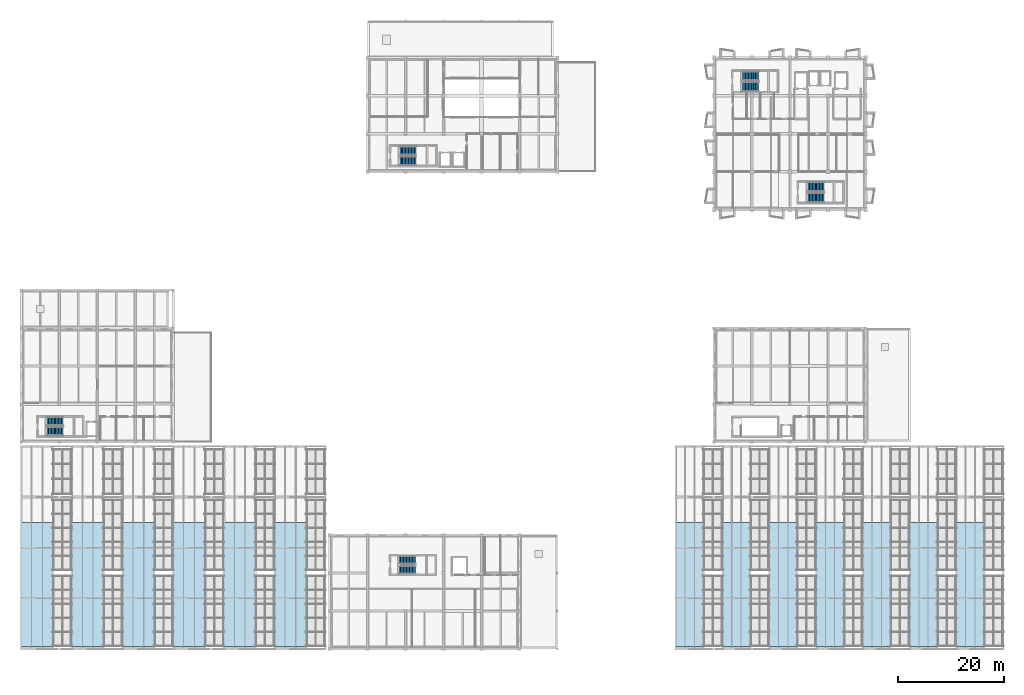
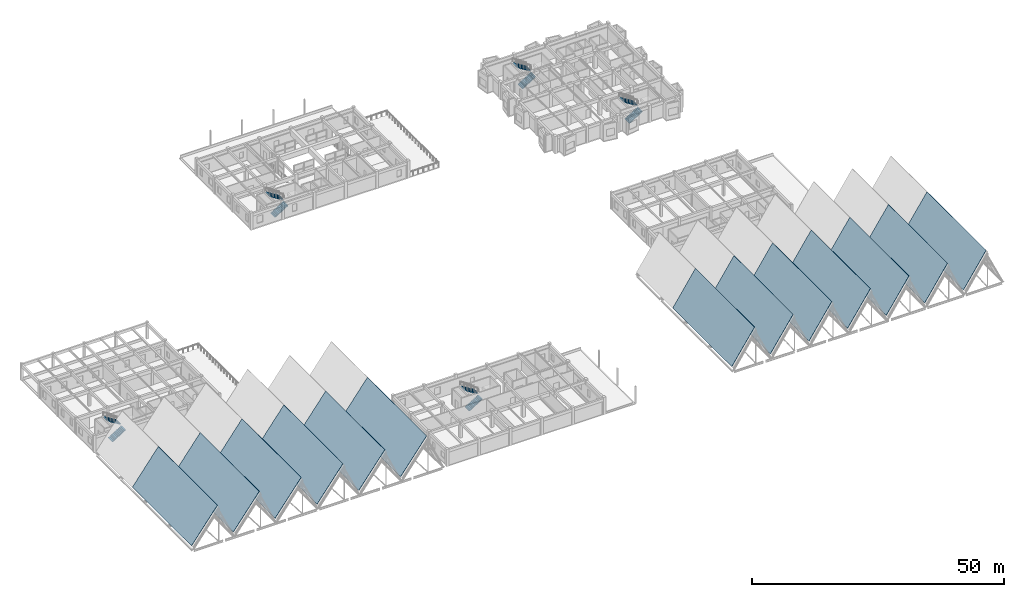
# One storey, part 93 of 99: 13 roofs, 10 stair flights, 5 elements without a shape of their own.
"""IFC4 building model written with IfcOpenShell, lengths in metres."""

from ifc_helpers import new_model, si_unit, direction, frame, origin, place, context, subcontext, project, spatial, polyline, outline, extrude, material, layer, layer_set, type_object, element, aggregate, save


model = new_model("IFC4")

# Units and contexts
model_context = context("Model", 3, precision=1e-05, world=origin(), true_north=direction((0.0, 1.0)))
body_context = subcontext(model_context, "Body", "Model", "MODEL_VIEW")
ifc_project = project(units=[si_unit("LENGTHUNIT", "METRE"), si_unit("AREAUNIT", "SQUARE_METRE"), si_unit("VOLUMEUNIT", "CUBIC_METRE"), si_unit("PLANEANGLEUNIT", "RADIAN"), si_unit("MASSUNIT", "GRAM", prefix="KILO")], contexts=[model_context])

# Site, building, storey
site_placement = place(None, origin())
site = spatial("IfcSite", under=ifc_project, at=site_placement, CompositionType="ELEMENT")
building_placement = place(site_placement, origin())
building = spatial("IfcBuilding", under=site, at=building_placement, Name="Bramveld Media Centre", CompositionType="ELEMENT")
storey_placement = place(building_placement, frame((0.0, 0.0, 13.800048828125)))
storey = spatial("IfcBuildingStorey", under=building, at=storey_placement, Name="L03", CompositionType="ELEMENT", Elevation=13.800048828125)

# Stair, stair flights
ifc_material_1 = material(Name="Concrete C40/50", Category="concrete")
stair_type_1 = type_object("IfcStairType", Name="STAIR-ST-01-24R-1800", PredefinedType="HALF_TURN_STAIR", material=ifc_material_1)
stair_1_placement = place(storey_placement, origin())
stair_1 = element("IfcStair", 1, at=stair_1_placement, inside=storey, type_object=stair_type_1, Name="L03 Core A1 Pressurized Firefighting Stair", PredefinedType="HALF_TURN_STAIR")
ifc_material_2 = material(Name="Concrete C40/50", Category="concrete")
stair_flight_type_1 = type_object("IfcStairFlightType", Name="FLIGHT-ST-01-12R-1750", PredefinedType="STRAIGHT", material=ifc_material_2)
stair_flight_1_placement = place(storey_placement, frame((136.60009765625, 106.5, 0.0), z_axis=(0.0, 0.0, 1.0), x_axis=(1.0, 0.0, 0.0)))
stair_flight_1 = element("IfcStairFlight", 2, at=stair_flight_1_placement, type_object=stair_flight_type_1, Name="ST-01 flight 1", NumberOfRisers=12, NumberOfTreads=11, PredefinedType="STRAIGHT", RiserHeight=0.175, TreadLength=0.28, context=body_context, shape_type="SweptSolid", body=[
    extrude(outline(polyline([(0.0, 0.0), (0.0, 0.175048828125), (0.280029296875, 0.175048828125), (0.280029296875, 0.35009765625), (0.56005859375, 0.35009765625), (0.56005859375, 0.52490234375), (0.840087890625, 0.52490234375), (0.840087890625, 0.699951171875), (1.1201171875, 0.699951171875), (1.1201171875, 0.875), (1.39990234375, 0.875), (1.39990234375, 1.050048828125), (1.679931640625, 1.050048828125), (1.679931640625, 1.22509765625), (1.9599609375, 1.22509765625), (1.9599609375, 1.39990234375), (2.239990234375, 1.39990234375), (2.239990234375, 1.574951171875), (2.52001953125, 1.574951171875), (2.52001953125, 1.75), (2.800048828125, 1.75), (2.800048828125, 1.925048828125), (3.080078125, 1.925048828125), (3.080078125, 2.10009765625), (3.080078125, 1.736328125), (0.3017578125, 0.0), (0.0, 0.0)])), frame((0.0, 0.89990234375, 0.0), z_axis=(0.0, -1.0, 0.0), x_axis=(1.0, 0.0, 0.0)), (0.0, 0.0, 1.0), 1.800048828125),
])
stair_flight_2_placement = place(storey_placement, frame((139.679931640625, 108.550048828125, 2.099853515625), z_axis=(0.0, 0.0, 1.0), x_axis=(-1.0, 0.0, 0.0)))
stair_flight_2 = element("IfcStairFlight", 3, at=stair_flight_2_placement, type_object=stair_flight_type_1, Name="ST-01 flight 2", NumberOfRisers=12, NumberOfTreads=11, PredefinedType="STRAIGHT", RiserHeight=0.175, TreadLength=0.28, context=body_context, shape_type="SweptSolid", body=[
    extrude(outline(polyline([(0.0, 0.0), (0.0, 0.175048828125), (0.280029296875, 0.175048828125), (0.280029296875, 0.35009765625), (0.56005859375, 0.35009765625), (0.56005859375, 0.52490234375), (0.840087890625, 0.52490234375), (0.840087890625, 0.699951171875), (1.1201171875, 0.699951171875), (1.1201171875, 0.875), (1.39990234375, 0.875), (1.39990234375, 1.050048828125), (1.679931640625, 1.050048828125), (1.679931640625, 1.22509765625), (1.9599609375, 1.22509765625), (1.9599609375, 1.39990234375), (2.239990234375, 1.39990234375), (2.239990234375, 1.574951171875), (2.52001953125, 1.574951171875), (2.52001953125, 1.75), (2.800048828125, 1.75), (2.800048828125, 1.925048828125), (3.080078125, 1.925048828125), (3.080078125, 2.10009765625), (3.080078125, 1.736328125), (0.3017578125, 0.0), (0.0, 0.0)])), frame((0.0, 0.89990234375, 0.0), z_axis=(0.0, -1.0, 0.0), x_axis=(1.0, 0.0, 0.0)), (0.0, 0.0, 1.0), 1.800048828125),
])
aggregate(stair_1, [stair_flight_1, stair_flight_2])

ifc_material_3 = material(Name="Concrete C40/50", Category="concrete")
stair_type_2 = type_object("IfcStairType", Name="STAIR-ST-02-24R-1800", PredefinedType="HALF_TURN_STAIR", material=ifc_material_3)
stair_2_placement = place(storey_placement, origin())
stair_2 = element("IfcStair", 4, at=stair_2_placement, inside=storey, type_object=stair_type_2, Name="L03 Core A2 Pressurized Escape Stair", PredefinedType="HALF_TURN_STAIR")
ifc_material_4 = material(Name="Concrete C40/50", Category="concrete")
stair_flight_type_2 = type_object("IfcStairFlightType", Name="FLIGHT-ST-02-12R-1750", PredefinedType="STRAIGHT", material=ifc_material_4)
stair_flight_3_placement = place(storey_placement, frame((149.0, 85.5, 0.0), z_axis=(0.0, 0.0, 1.0), x_axis=(1.0, 0.0, 0.0)))
stair_flight_3 = element("IfcStairFlight", 5, at=stair_flight_3_placement, type_object=stair_flight_type_2, Name="ST-02 flight 1", NumberOfRisers=12, NumberOfTreads=11, PredefinedType="STRAIGHT", RiserHeight=0.175, TreadLength=0.28, context=body_context, shape_type="SweptSolid", body=[
    extrude(outline(polyline([(0.0, 0.0), (0.0, 0.175048828125), (0.280029296875, 0.175048828125), (0.280029296875, 0.35009765625), (0.56005859375, 0.35009765625), (0.56005859375, 0.52490234375), (0.840087890625, 0.52490234375), (0.840087890625, 0.699951171875), (1.1201171875, 0.699951171875), (1.1201171875, 0.875), (1.39990234375, 0.875), (1.39990234375, 1.050048828125), (1.679931640625, 1.050048828125), (1.679931640625, 1.22509765625), (1.9599609375, 1.22509765625), (1.9599609375, 1.39990234375), (2.239990234375, 1.39990234375), (2.239990234375, 1.574951171875), (2.52001953125, 1.574951171875), (2.52001953125, 1.75), (2.800048828125, 1.75), (2.800048828125, 1.925048828125), (3.080078125, 1.925048828125), (3.080078125, 2.10009765625), (3.080078125, 1.736328125), (0.3017578125, 0.0), (0.0, 0.0)])), frame((0.0, 0.89990234375, 0.0), z_axis=(0.0, -1.0, 0.0), x_axis=(1.0, 0.0, 0.0)), (0.0, 0.0, 1.0), 1.800048828125),
])
stair_flight_4_placement = place(storey_placement, frame((152.080078125, 87.550048828125, 2.099853515625), z_axis=(0.0, 0.0, 1.0), x_axis=(-1.0, 0.0, 0.0)))
stair_flight_4 = element("IfcStairFlight", 6, at=stair_flight_4_placement, type_object=stair_flight_type_2, Name="ST-02 flight 2", NumberOfRisers=12, NumberOfTreads=11, PredefinedType="STRAIGHT", RiserHeight=0.175, TreadLength=0.28, context=body_context, shape_type="SweptSolid", body=[
    extrude(outline(polyline([(0.0, 0.0), (0.0, 0.175048828125), (0.280029296875, 0.175048828125), (0.280029296875, 0.35009765625), (0.56005859375, 0.35009765625), (0.56005859375, 0.52490234375), (0.840087890625, 0.52490234375), (0.840087890625, 0.699951171875), (1.1201171875, 0.699951171875), (1.1201171875, 0.875), (1.39990234375, 0.875), (1.39990234375, 1.050048828125), (1.679931640625, 1.050048828125), (1.679931640625, 1.22509765625), (1.9599609375, 1.22509765625), (1.9599609375, 1.39990234375), (2.239990234375, 1.39990234375), (2.239990234375, 1.574951171875), (2.52001953125, 1.574951171875), (2.52001953125, 1.75), (2.800048828125, 1.75), (2.800048828125, 1.925048828125), (3.080078125, 1.925048828125), (3.080078125, 2.10009765625), (3.080078125, 1.736328125), (0.3017578125, 0.0), (0.0, 0.0)])), frame((0.0, 0.89990234375, 0.0), z_axis=(0.0, -1.0, 0.0), x_axis=(1.0, 0.0, 0.0)), (0.0, 0.0, 1.0), 1.800048828125),
])
aggregate(stair_2, [stair_flight_3, stair_flight_4])

ifc_material_5 = material(Name="Concrete C40/50", Category="concrete")
stair_type_3 = type_object("IfcStairType", Name="STAIR-ST-04-24R-1650", PredefinedType="HALF_TURN_STAIR", material=ifc_material_5)
stair_3_placement = place(storey_placement, origin())
stair_3 = element("IfcStair", 7, at=stair_3_placement, inside=storey, type_object=stair_type_3, Name="L03 Repertory Cinema & Rooftop Terrace Stair", PredefinedType="HALF_TURN_STAIR")
ifc_material_6 = material(Name="Concrete C40/50", Category="concrete")
stair_flight_type_3 = type_object("IfcStairFlightType", Name="FLIGHT-ST-04-12R-1750", PredefinedType="STRAIGHT", material=ifc_material_6)
stair_flight_5_placement = place(storey_placement, frame((4.85009765625, 41.22509765625, 0.0), z_axis=(0.0, 0.0, 1.0), x_axis=(1.0, 0.0, 0.0)))
stair_flight_5 = element("IfcStairFlight", 8, at=stair_flight_5_placement, type_object=stair_flight_type_3, Name="ST-04 flight 1", NumberOfRisers=12, NumberOfTreads=11, PredefinedType="STRAIGHT", RiserHeight=0.175, TreadLength=0.28, context=body_context, shape_type="SweptSolid", body=[
    extrude(outline(polyline([(0.0, 0.0), (0.0, 0.175048828125), (0.280029296875, 0.175048828125), (0.280029296875, 0.35009765625), (0.56005859375, 0.35009765625), (0.56005859375, 0.52490234375), (0.840087890625, 0.52490234375), (0.840087890625, 0.699951171875), (1.1201171875, 0.699951171875), (1.1201171875, 0.875), (1.39990234375, 0.875), (1.39990234375, 1.050048828125), (1.679931640625, 1.050048828125), (1.679931640625, 1.22509765625), (1.9599609375, 1.22509765625), (1.9599609375, 1.39990234375), (2.239990234375, 1.39990234375), (2.239990234375, 1.574951171875), (2.52001953125, 1.574951171875), (2.52001953125, 1.75), (2.800048828125, 1.75), (2.800048828125, 1.925048828125), (3.080078125, 1.925048828125), (3.080078125, 2.10009765625), (3.080078125, 1.736328125), (0.3017578125, 0.0), (0.0, 0.0)])), frame((0.0, 0.824951171875, 0.0), z_axis=(0.0, -1.0, 0.0), x_axis=(1.0, 0.0, 0.0)), (0.0, 0.0, 1.0), 1.64990234375),
])
stair_flight_6_placement = place(storey_placement, frame((7.929931640625, 43.125, 2.099853515625), z_axis=(0.0, 0.0, 1.0), x_axis=(-1.0, 0.0, 0.0)))
stair_flight_6 = element("IfcStairFlight", 9, at=stair_flight_6_placement, type_object=stair_flight_type_3, Name="ST-04 flight 2", NumberOfRisers=12, NumberOfTreads=11, PredefinedType="STRAIGHT", RiserHeight=0.175, TreadLength=0.28, context=body_context, shape_type="SweptSolid", body=[
    extrude(outline(polyline([(0.0, 0.0), (0.0, 0.175048828125), (0.280029296875, 0.175048828125), (0.280029296875, 0.35009765625), (0.56005859375, 0.35009765625), (0.56005859375, 0.52490234375), (0.840087890625, 0.52490234375), (0.840087890625, 0.699951171875), (1.1201171875, 0.699951171875), (1.1201171875, 0.875), (1.39990234375, 0.875), (1.39990234375, 1.050048828125), (1.679931640625, 1.050048828125), (1.679931640625, 1.22509765625), (1.9599609375, 1.22509765625), (1.9599609375, 1.39990234375), (2.239990234375, 1.39990234375), (2.239990234375, 1.574951171875), (2.52001953125, 1.574951171875), (2.52001953125, 1.75), (2.800048828125, 1.75), (2.800048828125, 1.925048828125), (3.080078125, 1.925048828125), (3.080078125, 2.10009765625), (3.080078125, 1.736328125), (0.3017578125, 0.0), (0.0, 0.0)])), frame((0.0, 0.824951171875, 0.0), z_axis=(0.0, -1.0, 0.0), x_axis=(1.0, 0.0, 0.0)), (0.0, 0.0, 1.0), 1.64990234375),
])
aggregate(stair_3, [stair_flight_5, stair_flight_6])

ifc_material_7 = material(Name="Concrete C40/50", Category="concrete")
stair_type_4 = type_object("IfcStairType", Name="STAIR-ST-06-24R-1600", PredefinedType="HALF_TURN_STAIR", material=ifc_material_7)
stair_4_placement = place(storey_placement, origin())
stair_4 = element("IfcStair", 10, at=stair_4_placement, inside=storey, type_object=stair_type_4, Name="L03 Mediatheque & Vault Wing Stair", PredefinedType="HALF_TURN_STAIR")
ifc_material_8 = material(Name="Concrete C40/50", Category="concrete")
stair_flight_type_4 = type_object("IfcStairFlightType", Name="FLIGHT-ST-06-12R-1750", PredefinedType="STRAIGHT", material=ifc_material_8)
stair_flight_7_placement = place(storey_placement, frame((71.60009765625, 15.0, 0.0), z_axis=(0.0, 0.0, 1.0), x_axis=(1.0, 0.0, 0.0)))
stair_flight_7 = element("IfcStairFlight", 11, at=stair_flight_7_placement, type_object=stair_flight_type_4, Name="ST-06 flight 1", NumberOfRisers=12, NumberOfTreads=11, PredefinedType="STRAIGHT", RiserHeight=0.175, TreadLength=0.28, context=body_context, shape_type="SweptSolid", body=[
    extrude(outline(polyline([(0.0, 0.0), (0.0, 0.175048828125), (0.280029296875, 0.175048828125), (0.280029296875, 0.35009765625), (0.56005859375, 0.35009765625), (0.56005859375, 0.52490234375), (0.840087890625, 0.52490234375), (0.840087890625, 0.699951171875), (1.1201171875, 0.699951171875), (1.1201171875, 0.875), (1.39990234375, 0.875), (1.39990234375, 1.050048828125), (1.679931640625, 1.050048828125), (1.679931640625, 1.22509765625), (1.9599609375, 1.22509765625), (1.9599609375, 1.39990234375), (2.239990234375, 1.39990234375), (2.239990234375, 1.574951171875), (2.52001953125, 1.574951171875), (2.52001953125, 1.75), (2.800048828125, 1.75), (2.800048828125, 1.925048828125), (3.080078125, 1.925048828125), (3.080078125, 2.10009765625), (3.080078125, 1.736328125), (0.3017578125, 0.0), (0.0, 0.0)])), frame((0.0, 0.800048828125, 0.0), z_axis=(0.0, -1.0, 0.0), x_axis=(1.0, 0.0, 0.0)), (0.0, 0.0, 1.0), 1.60009765625),
])
stair_flight_8_placement = place(storey_placement, frame((74.679931640625, 16.85009765625, 2.099853515625), z_axis=(0.0, 0.0, 1.0), x_axis=(-1.0, 0.0, 0.0)))
stair_flight_8 = element("IfcStairFlight", 12, at=stair_flight_8_placement, type_object=stair_flight_type_4, Name="ST-06 flight 2", NumberOfRisers=12, NumberOfTreads=11, PredefinedType="STRAIGHT", RiserHeight=0.175, TreadLength=0.28, context=body_context, shape_type="SweptSolid", body=[
    extrude(outline(polyline([(0.0, 0.0), (0.0, 0.175048828125), (0.280029296875, 0.175048828125), (0.280029296875, 0.35009765625), (0.56005859375, 0.35009765625), (0.56005859375, 0.52490234375), (0.840087890625, 0.52490234375), (0.840087890625, 0.699951171875), (1.1201171875, 0.699951171875), (1.1201171875, 0.875), (1.39990234375, 0.875), (1.39990234375, 1.050048828125), (1.679931640625, 1.050048828125), (1.679931640625, 1.22509765625), (1.9599609375, 1.22509765625), (1.9599609375, 1.39990234375), (2.239990234375, 1.39990234375), (2.239990234375, 1.574951171875), (2.52001953125, 1.574951171875), (2.52001953125, 1.75), (2.800048828125, 1.75), (2.800048828125, 1.925048828125), (3.080078125, 1.925048828125), (3.080078125, 2.10009765625), (3.080078125, 1.736328125), (0.3017578125, 0.0), (0.0, 0.0)])), frame((0.0, 0.800048828125, 0.0), z_axis=(0.0, -1.0, 0.0), x_axis=(1.0, 0.0, 0.0)), (0.0, 0.0, 1.0), 1.60009765625),
])
aggregate(stair_4, [stair_flight_7, stair_flight_8])

ifc_material_9 = material(Name="Concrete C40/50", Category="concrete")
stair_type_5 = type_object("IfcStairType", Name="STAIR-ST-07-24R-1700", PredefinedType="HALF_TURN_STAIR", material=ifc_material_9)
stair_5_placement = place(storey_placement, origin())
stair_5 = element("IfcStair", 13, at=stair_5_placement, inside=storey, type_object=stair_type_5, Name="L03 Exhibition & Sound Lab Primary Stair", PredefinedType="HALF_TURN_STAIR")
ifc_material_10 = material(Name="Concrete C40/50", Category="concrete")
stair_flight_type_5 = type_object("IfcStairFlightType", Name="FLIGHT-ST-07-12R-1750", PredefinedType="STRAIGHT", material=ifc_material_10)
stair_flight_9_placement = place(storey_placement, frame((71.699951171875, 92.449951171875, 0.0), z_axis=(0.0, 0.0, 1.0), x_axis=(1.0, 0.0, 0.0)))
stair_flight_9 = element("IfcStairFlight", 14, at=stair_flight_9_placement, type_object=stair_flight_type_5, Name="ST-07 flight 1", NumberOfRisers=12, NumberOfTreads=11, PredefinedType="STRAIGHT", RiserHeight=0.175, TreadLength=0.28, context=body_context, shape_type="SweptSolid", body=[
    extrude(outline(polyline([(0.0, 0.0), (0.0, 0.175048828125), (0.280029296875, 0.175048828125), (0.280029296875, 0.35009765625), (0.56005859375, 0.35009765625), (0.56005859375, 0.52490234375), (0.840087890625, 0.52490234375), (0.840087890625, 0.699951171875), (1.1201171875, 0.699951171875), (1.1201171875, 0.875), (1.39990234375, 0.875), (1.39990234375, 1.050048828125), (1.679931640625, 1.050048828125), (1.679931640625, 1.22509765625), (1.9599609375, 1.22509765625), (1.9599609375, 1.39990234375), (2.239990234375, 1.39990234375), (2.239990234375, 1.574951171875), (2.52001953125, 1.574951171875), (2.52001953125, 1.75), (2.800048828125, 1.75), (2.800048828125, 1.925048828125), (3.080078125, 1.925048828125), (3.080078125, 2.10009765625), (3.080078125, 1.736328125), (0.3017578125, 0.0), (0.0, 0.0)])), frame((0.0, 0.85009765625, 0.0), z_axis=(0.0, -1.0, 0.0), x_axis=(1.0, 0.0, 0.0)), (0.0, 0.0, 1.0), 1.699951171875),
])
stair_flight_10_placement = place(storey_placement, frame((74.780029296875, 94.39990234375, 2.099853515625), z_axis=(0.0, 0.0, 1.0), x_axis=(-1.0, 0.0, 0.0)))
stair_flight_10 = element("IfcStairFlight", 15, at=stair_flight_10_placement, type_object=stair_flight_type_5, Name="ST-07 flight 2", NumberOfRisers=12, NumberOfTreads=11, PredefinedType="STRAIGHT", RiserHeight=0.175, TreadLength=0.28, context=body_context, shape_type="SweptSolid", body=[
    extrude(outline(polyline([(0.0, 0.0), (0.0, 0.175048828125), (0.280029296875, 0.175048828125), (0.280029296875, 0.35009765625), (0.56005859375, 0.35009765625), (0.56005859375, 0.52490234375), (0.840087890625, 0.52490234375), (0.840087890625, 0.699951171875), (1.1201171875, 0.699951171875), (1.1201171875, 0.875), (1.39990234375, 0.875), (1.39990234375, 1.050048828125), (1.679931640625, 1.050048828125), (1.679931640625, 1.22509765625), (1.9599609375, 1.22509765625), (1.9599609375, 1.39990234375), (2.239990234375, 1.39990234375), (2.239990234375, 1.574951171875), (2.52001953125, 1.574951171875), (2.52001953125, 1.75), (2.800048828125, 1.75), (2.800048828125, 1.925048828125), (3.080078125, 1.925048828125), (3.080078125, 2.10009765625), (3.080078125, 1.736328125), (0.3017578125, 0.0), (0.0, 0.0)])), frame((0.0, 0.85009765625, 0.0), z_axis=(0.0, -1.0, 0.0), x_axis=(1.0, 0.0, 0.0)), (0.0, 0.0, 1.0), 1.699951171875),
])
aggregate(stair_5, [stair_flight_9, stair_flight_10])

# Roofs
ifc_material_11 = material(Name="Steel S355J2", Category="steel")
ifc_layer = layer(ifc_material_11, 0.219970703125)
ifc_layer_set = layer_set([ifc_layer], Name="Steel S355J2")
roof_type = type_object("IfcRoofType", Name="ROOF-SYS-SAWTOOTH", PredefinedType="SHED_ROOF", material=ifc_layer_set)
roof_1_placement = place(storey_placement, frame((124.0, 0.5, 0.737548828125), z_axis=(-0.831068529112, 0.0, 0.556170027887), x_axis=(0.556170027887, 0.0, 0.831068529112)))
element("IfcRoof", 16, at=roof_1_placement, inside=storey, type_object=roof_type, Name="V1 sawtooth standing-seam roof assembly bay 1", PredefinedType="SHED_ROOF", context=body_context, shape_type="SweptSolid", body=[
    extrude(outline(polyline([(0.0, 0.0), (9.385566358116995, 0.0), (9.385566358116995, 23.5), (0.0, 23.5), (0.0, 0.0)])), origin(), (0.0, 0.0, -1.0), 0.06005859375),
])
for number, where, z_axis, x_axis, name in (
    (17, (132.857177734375, 0.5, 0.737548828125), (-0.8310805524, 0.0, 0.55615206142), (0.55615206142, 0.0, 0.8310805524), "V1 sawtooth standing-seam roof assembly bay 2"),
    (18, (141.71435546875, 0.5, 0.737548828125), (-0.8310805524, 0.0, 0.55615206142), (0.55615206142, 0.0, 0.8310805524), "V1 sawtooth standing-seam roof assembly bay 3"),
):
    element("IfcRoof", number, at=place(storey_placement, frame(where, z_axis=z_axis, x_axis=x_axis)), inside=storey, type_object=roof_type, Name=name, PredefinedType="SHED_ROOF", context=body_context, shape_type="SweptSolid", body=[
        extrude(outline(polyline([(0.0, 0.0), (9.385430576611935, 0.0), (9.385430576611935, 23.5), (0.0, 23.5), (0.0, 0.0)])), origin(), (0.0, 0.0, -1.0), 0.06005859375),
    ])
roof_2_placement = place(storey_placement, frame((150.5712890625, 0.5, 0.737548828125), z_axis=(-0.831068529112, 0.0, 0.556170027887), x_axis=(0.556170027887, 0.0, 0.831068529112)))
element("IfcRoof", 19, at=roof_2_placement, inside=storey, type_object=roof_type, Name="V1 sawtooth standing-seam roof assembly bay 4", PredefinedType="SHED_ROOF", context=body_context, shape_type="SweptSolid", body=[
    extrude(outline(polyline([(0.0, 0.0), (9.385566358116995, 0.0), (9.385566358116995, 23.5), (0.0, 23.5), (0.0, 0.0)])), origin(), (0.0, 0.0, -1.0), 0.06005859375),
])
roof_3_placement = place(storey_placement, frame((159.4287109375, 0.5, 0.737548828125), z_axis=(-0.8310805524, 0.0, 0.55615206142), x_axis=(0.55615206142, 0.0, 0.8310805524)))
element("IfcRoof", 20, at=roof_3_placement, inside=storey, type_object=roof_type, Name="V1 sawtooth standing-seam roof assembly bay 5", PredefinedType="SHED_ROOF", context=body_context, shape_type="SweptSolid", body=[
    extrude(outline(polyline([(0.0, 0.0), (9.385430576611935, 0.0), (9.385430576611935, 23.5), (0.0, 23.5), (0.0, 0.0)])), origin(), (0.0, 0.0, -1.0), 0.06005859375),
])
for number, where, z_axis, x_axis, name in (
    (21, (168.28564453125, 0.5, 0.737548828125), (-0.831068529112, 0.0, 0.556170027887), (0.556170027887, 0.0, 0.831068529112), "V1 sawtooth standing-seam roof assembly bay 6"),
    (22, (177.142822265625, 0.5, 0.737548828125), (-0.831068529112, 0.0, 0.556170027887), (0.556170027887, 0.0, 0.831068529112), "V1 sawtooth standing-seam roof assembly bay 7"),
):
    element("IfcRoof", number, at=place(storey_placement, frame(where, z_axis=z_axis, x_axis=x_axis)), inside=storey, type_object=roof_type, Name=name, PredefinedType="SHED_ROOF", context=body_context, shape_type="SweptSolid", body=[
        extrude(outline(polyline([(0.0, 0.0), (9.385566358116995, 0.0), (9.385566358116995, 23.5), (0.0, 23.5), (0.0, 0.0)])), origin(), (0.0, 0.0, -1.0), 0.06005859375),
    ])
roof_4_placement = place(storey_placement, frame((0.0, 0.5, 0.680419921875), z_axis=(-0.794448873282, 0.0, 0.607331036372), x_axis=(0.607331036372, 0.0, 0.794448873282)))
element("IfcRoof", 23, at=roof_4_placement, inside=storey, type_object=roof_type, Name="V2 sawtooth standing-seam roof assembly bay 1", PredefinedType="SHED_ROOF", context=body_context, shape_type="SweptSolid", body=[
    extrude(outline(polyline([(0.0, 0.0), (9.818188546103965, 0.0), (9.818188546103965, 23.500000000000004), (0.0, 23.500000000000004), (0.0, 0.0)])), origin(), (0.0, 0.0, -1.0), 0.06005859375),
])
roof_5_placement = place(storey_placement, frame((9.60009765625, 0.5, 0.680419921875), z_axis=(-0.794460871067, 0.0, 0.607315341765), x_axis=(0.607315341765, 0.0, 0.794460871067)))
element("IfcRoof", 24, at=roof_5_placement, inside=storey, type_object=roof_type, Name="V2 sawtooth standing-seam roof assembly bay 2", PredefinedType="SHED_ROOF", context=body_context, shape_type="SweptSolid", body=[
    extrude(outline(polyline([(0.0, 0.0), (9.818040273840992, 0.0), (9.818040273840992, 23.5), (0.0, 23.5), (0.0, 0.0)])), origin(), (0.0, 0.0, -1.0), 0.06005859375),
])
roof_6_placement = place(storey_placement, frame((19.199951171875, 0.5, 0.680419921875), z_axis=(-0.794448873282, 0.0, 0.607331036372), x_axis=(0.607331036372, 0.0, 0.794448873282)))
element("IfcRoof", 25, at=roof_6_placement, inside=storey, type_object=roof_type, Name="V2 sawtooth standing-seam roof assembly bay 3", PredefinedType="SHED_ROOF", context=body_context, shape_type="SweptSolid", body=[
    extrude(outline(polyline([(0.0, 0.0), (9.818188546103965, 0.0), (9.818188546103965, 23.500000000000004), (0.0, 23.500000000000004), (0.0, 0.0)])), origin(), (0.0, 0.0, -1.0), 0.06005859375),
])
roof_7_placement = place(storey_placement, frame((28.800048828125, 0.5, 0.680419921875), z_axis=(-0.794460871067, 0.0, 0.607315341765), x_axis=(0.607315341765, 0.0, 0.794460871067)))
element("IfcRoof", 26, at=roof_7_placement, inside=storey, type_object=roof_type, Name="V2 sawtooth standing-seam roof assembly bay 4", PredefinedType="SHED_ROOF", context=body_context, shape_type="SweptSolid", body=[
    extrude(outline(polyline([(0.0, 0.0), (9.818040273840992, 0.0), (9.818040273840992, 23.5), (0.0, 23.5), (0.0, 0.0)])), origin(), (0.0, 0.0, -1.0), 0.06005859375),
])
for number, where, z_axis, x_axis, name in (
    (27, (38.39990234375, 0.5, 0.680419921875), (-0.794448873282, 0.0, 0.607331036372), (0.607331036372, 0.0, 0.794448873282), "V2 sawtooth standing-seam roof assembly bay 5"),
    (28, (48.0, 0.5, 0.680419921875), (-0.794448873282, 0.0, 0.607331036372), (0.607331036372, 0.0, 0.794448873282), "V2 sawtooth standing-seam roof assembly bay 6"),
):
    element("IfcRoof", number, at=place(storey_placement, frame(where, z_axis=z_axis, x_axis=x_axis)), inside=storey, type_object=roof_type, Name=name, PredefinedType="SHED_ROOF", context=body_context, shape_type="SweptSolid", body=[
        extrude(outline(polyline([(0.0, 0.0), (9.818188546103965, 0.0), (9.818188546103965, 23.500000000000004), (0.0, 23.500000000000004), (0.0, 0.0)])), origin(), (0.0, 0.0, -1.0), 0.06005859375),
    ])

save(model, "model.ifc")
